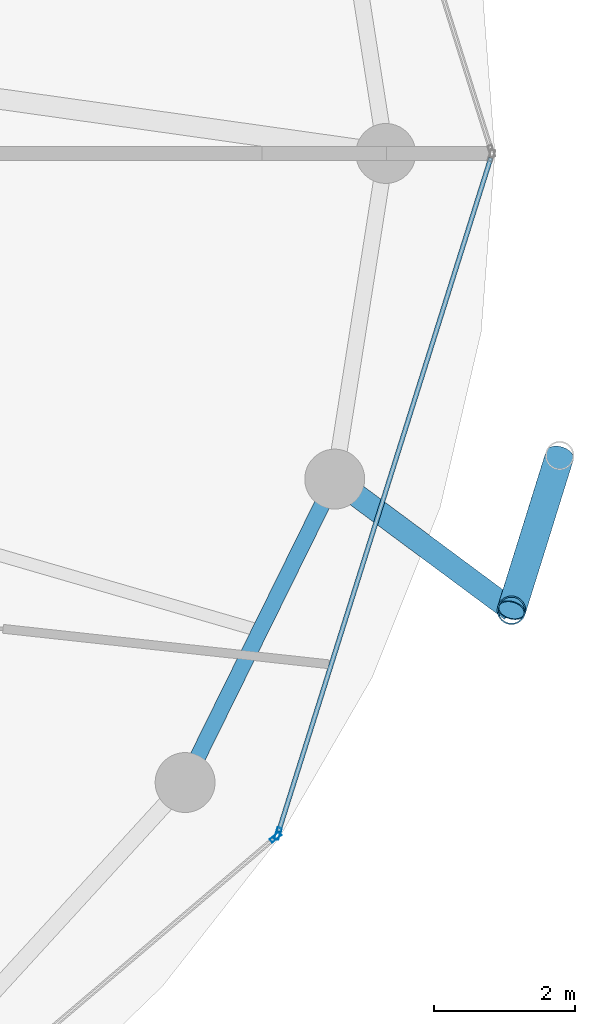
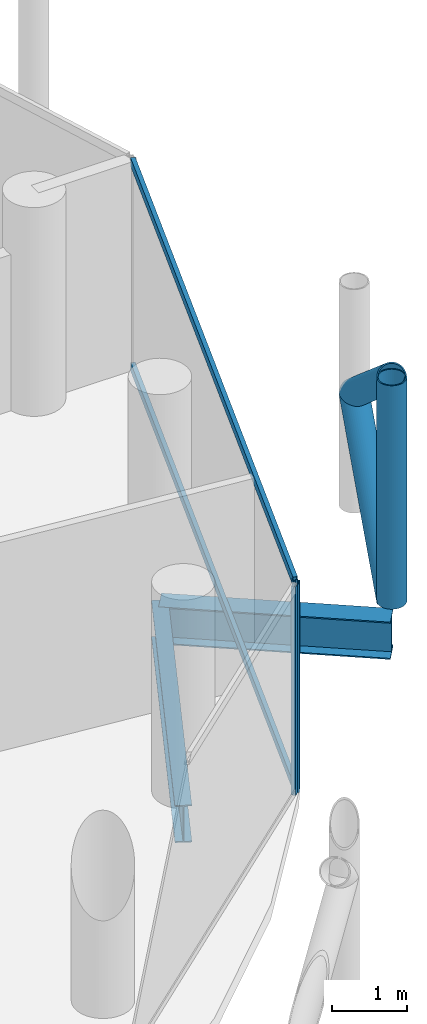
# One storey, part 13 of 27: 7 members, 2 beams, 2 elements without a shape of their own.
"""IFC4 building model written with IfcOpenShell, lengths in metres."""

from ifc_helpers import new_model, si_unit, direction, frame, origin, origin_2d, place, context, subcontext, project, spatial, hollow_rectangle, hollow_circle, i_section, extrude, material, layer, layer_set, material_profile, profile_set, type_object, element, aggregate, save


model = new_model("IFC4")

# Units and contexts
model_context = context("Model", 3, precision=1e-05, world=origin(), true_north=direction((0.0, 1.0)))
body_context = subcontext(model_context, "Body", "Model", "MODEL_VIEW")
ifc_project = project(units=[si_unit("LENGTHUNIT", "METRE"), si_unit("AREAUNIT", "SQUARE_METRE"), si_unit("VOLUMEUNIT", "CUBIC_METRE"), si_unit("PLANEANGLEUNIT", "RADIAN"), si_unit("MASSUNIT", "GRAM", prefix="KILO")], contexts=[model_context])

# Site, building, storey
site_placement = place(None, origin())
site = spatial("IfcSite", under=ifc_project, at=site_placement, CompositionType="ELEMENT")
building_placement = place(site_placement, origin())
building = spatial("IfcBuilding", under=site, at=building_placement, Name="Nuhasar Tower", CompositionType="ELEMENT")
storey_placement = place(building_placement, frame((0.0, 0.0, 219.10009765625)))
storey = spatial("IfcBuildingStorey", under=building, at=storey_placement, Name="L53", CompositionType="ELEMENT", Elevation=219.10009765625)

# Beams
ifc_material_1 = material(Name="Steel S355", Category="steel")
ifc_material_profile_1 = material_profile(ifc_material_1, i_section(OverallWidth=0.22802734375, OverallDepth=0.60791015625, WebThickness=0.01123046875, FlangeThickness=0.017333984375, at=origin_2d()), Name="W24X76")
ifc_profile_set_1 = profile_set([ifc_material_profile_1], Name="Steel S355")
beam_type_1 = type_object("IfcBeamType", Name="BM-RING-W24X76", PredefinedType="SPANDREL", material=ifc_profile_set_1)
beam_1_placement = place(storey_placement, frame((57.403076171875, 17.875, -0.544189453125), z_axis=(0.442262779282, 0.896885518928, 0.0), x_axis=(-0.896885518928, 0.442262779282, 0.0)))
element("IfcBeam", 1, at=beam_1_placement, inside=storey, type_object=beam_type_1, Name="L53 Perimeter Ring Spandrel 23", PredefinedType="SPANDREL", context=body_context, shape_type="SweptSolid", body=[
    extrude(i_section(OverallWidth=0.22802734375, OverallDepth=0.60791015625, WebThickness=0.01123046875, FlangeThickness=0.017333984375, at=origin_2d()), origin(), (0.0, 0.0, 1.0), 4.7998046875),
])
ifc_material_profile_2 = material_profile(ifc_material_1, i_section(OverallWidth=0.323974609375, OverallDepth=0.611083984375, WebThickness=0.0126953125, FlangeThickness=0.01904296875, at=origin_2d()), Name="W24X104")
ifc_profile_set_2 = profile_set([ifc_material_profile_2], Name="Steel S355")
beam_type_2 = type_object("IfcBeamType", Name="BM-TIE-W24X104", PredefinedType="BEAM", material=ifc_profile_set_2)
beam_2_placement = place(storey_placement, frame((59.52587890625, 22.179931640625, -0.545166015625), z_axis=(0.802983345014, -0.596001466131, 0.0), x_axis=(0.596001466131, 0.802983345014, 0.0)))
element("IfcBeam", 2, at=beam_2_placement, inside=storey, type_object=beam_type_2, Name="L53 Exoskeleton Node Tie Beam 12", PredefinedType="BEAM", context=body_context, shape_type="SweptSolid", body=[
    extrude(i_section(OverallWidth=0.323974609375, OverallDepth=0.611083984375, WebThickness=0.0126953125, FlangeThickness=0.01904296875, at=origin_2d()), origin(), (0.0, 0.0, 1.0), 3.122314453125),
])

# Curtain wall, member
ifc_material_2 = material(Name="Aluminium 6063-T6", Category="aluminium")
ifc_layer = layer(ifc_material_2, 0.18994140625)
ifc_layer_set = layer_set([ifc_layer], Name="Aluminium 6063-T6")
curtain_wall_type = type_object("IfcCurtainWallType", Name="CW-Z3-RES", PredefinedType="NOTDEFINED", material=ifc_layer_set)
curtain_wall_1_placement = place(storey_placement, origin())
curtain_wall_1 = element("IfcCurtainWall", 3, at=curtain_wall_1_placement, inside=storey, type_object=curtain_wall_type, Name="L53 Unitised Curtain Wall 11", PredefinedType="NOTDEFINED")
ifc_material_profile_3 = material_profile(ifc_material_2, hollow_rectangle(XDim=0.06494140625, YDim=0.169921875, WallThickness=0.0048828125, at=origin_2d()), Name="CWM-4")
ifc_profile_set_3 = profile_set([ifc_material_profile_3], Name="Aluminium 6063-T6")
member_type_1 = type_object("IfcMemberType", Name="CW-MUL-S4", PredefinedType="MULLION", material=ifc_profile_set_3)
member_1_placement = place(storey_placement, frame((58.686279296875, 17.098876953125, 0.0), z_axis=(0.0, 0.0, 1.0), x_axis=(-0.64789521578, 0.761729472562, 0.0)))
member_1 = element("IfcMember", 4, at=member_1_placement, type_object=member_type_1, Name="CW-Z3 mullion 2", PredefinedType="MULLION", context=body_context, shape_type="SweptSolid", body=[
    extrude(hollow_rectangle(XDim=0.06494140625, YDim=0.169921875, WallThickness=0.0048828125, at=origin_2d()), origin(), (0.0, 0.0, 1.0), 3.409912109375),
])
aggregate(curtain_wall_1, [member_1])

# Curtain wall, members
curtain_wall_2_placement = place(storey_placement, origin())
curtain_wall_2 = element("IfcCurtainWall", 5, at=curtain_wall_2_placement, inside=storey, type_object=curtain_wall_type, Name="L53 Unitised Curtain Wall 12", PredefinedType="NOTDEFINED")
member_2_placement = place(storey_placement, frame((58.720703125, 17.15087890625, 0.0), z_axis=(0.0, 0.0, 1.0), x_axis=(-0.95380429279, 0.30042864553, 0.0)))
member_2 = element("IfcMember", 6, at=member_2_placement, type_object=member_type_1, Name="CW-Z3 mullion 1", PredefinedType="MULLION", context=body_context, shape_type="SweptSolid", body=[
    extrude(hollow_rectangle(XDim=0.06494140625, YDim=0.169921875, WallThickness=0.0048828125, at=origin_2d()), origin(), (0.0, 0.0, 1.0), 3.409912109375),
])
ifc_material_profile_4 = material_profile(ifc_material_2, hollow_rectangle(XDim=0.06494140625, YDim=0.139892578125, WallThickness=0.00439453125, at=origin_2d()), Name="CWT-4")
ifc_profile_set_4 = profile_set([ifc_material_profile_4], Name="Aluminium 6063-T6")
member_type_2 = type_object("IfcMemberType", Name="CW-TRN-S4", PredefinedType="USERDEFINED", material=ifc_profile_set_4)
member_3_placement = place(storey_placement, frame((58.73046875, 17.181884765625, 0.032470703125), z_axis=(0.300430390604, 0.953803743126, 0.0), x_axis=(-0.953803743126, 0.300430390604, 0.0)))
member_3 = element("IfcMember", 7, at=member_3_placement, type_object=member_type_2, Name="CW-Z3 transom 1.1", ObjectType="TRANSOM", PredefinedType="USERDEFINED", context=body_context, shape_type="SweptSolid", body=[
    extrude(hollow_rectangle(XDim=0.06494140625, YDim=0.139892578125, WallThickness=0.00439453125, at=origin_2d()), origin(), (0.0, 0.0, 1.0), 10.01904296875),
])
member_4_placement = place(storey_placement, frame((58.73046875, 17.181884765625, 3.37744140625), z_axis=(0.300430390604, 0.953803743126, 0.0), x_axis=(-0.953803743126, 0.300430390604, 0.0)))
member_4 = element("IfcMember", 8, at=member_4_placement, type_object=member_type_2, Name="CW-Z3 transom 1.2", ObjectType="TRANSOM", PredefinedType="USERDEFINED", context=body_context, shape_type="SweptSolid", body=[
    extrude(hollow_rectangle(XDim=0.06494140625, YDim=0.139892578125, WallThickness=0.00439453125, at=origin_2d()), origin(), (0.0, 0.0, 1.0), 10.01904296875),
])
aggregate(curtain_wall_2, [member_2, member_3, member_4])

# Members
ifc_material_3 = material(Name="Steel S460", Category="steel")
ifc_material_profile_5 = material_profile(ifc_material_3, hollow_circle(Radius=0.203125, WallThickness=0.01904296875, at=origin_2d()), Name="HSS406.4X19.1")
ifc_profile_set_5 = profile_set([ifc_material_profile_5], Name="Steel S460")
member_type_3 = type_object("IfcMemberType", Name="EXO-BRONZE-406", PredefinedType="BRACE", material=ifc_profile_set_5)
member_5_placement = place(storey_placement, frame((62.032958984375, 20.319091796875, 0.0), z_axis=(0.0, 0.0, 1.0), x_axis=(1.0, 0.0, 0.0)))
element("IfcMember", 9, at=member_5_placement, inside=storey, type_object=member_type_3, Name="L53 Exoskeleton Chord Column EC-12A", PredefinedType="BRACE", context=body_context, shape_type="SweptSolid", body=[
    extrude(hollow_circle(Radius=0.203125, WallThickness=0.01904296875, at=origin_2d()), origin(), (0.0, 0.0, 1.0), 3.64990234375),
])
for number, where, z_axis, x_axis, name in (
    (10, (62.032958984375, 20.319091796875, 0.0), (0.233372423355, 0.747689980743, 0.621688832709), (-0.954581948223, 0.297948492404, 0.0), "L53 Bronze Diagrid Brace W1-12"),
    (11, (62.718017578125, 22.513916015625, 1.824951171875), (-0.233372423355, -0.747689980743, 0.621688832709), (0.954581948223, -0.297948492404, 0.0), "L53 Bronze Diagrid Brace W2-12"),
):
    element("IfcMember", number, at=place(storey_placement, frame(where, z_axis=z_axis, x_axis=x_axis)), inside=storey, type_object=member_type_3, Name=name, PredefinedType="BRACE", context=body_context, shape_type="SweptSolid", body=[
        extrude(hollow_circle(Radius=0.203125, WallThickness=0.01904296875, at=origin_2d()), origin(), (0.0, 0.0, 1.0), 2.935546875),
    ])

save(model, "model.ifc")
